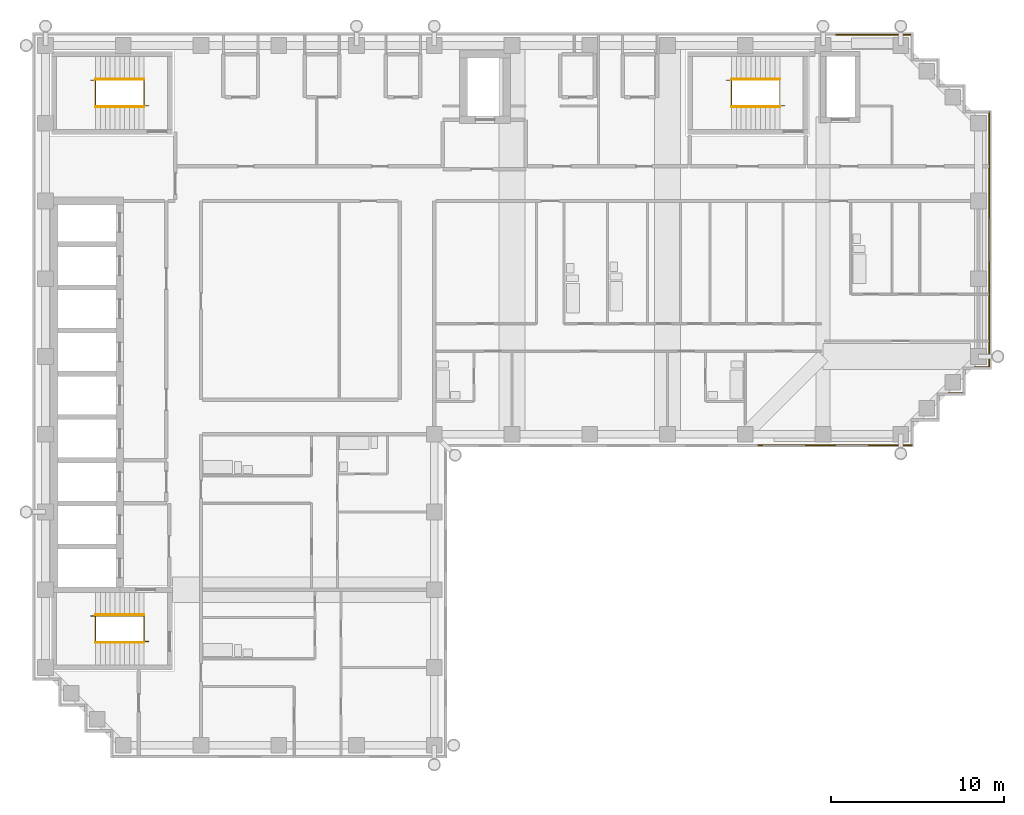
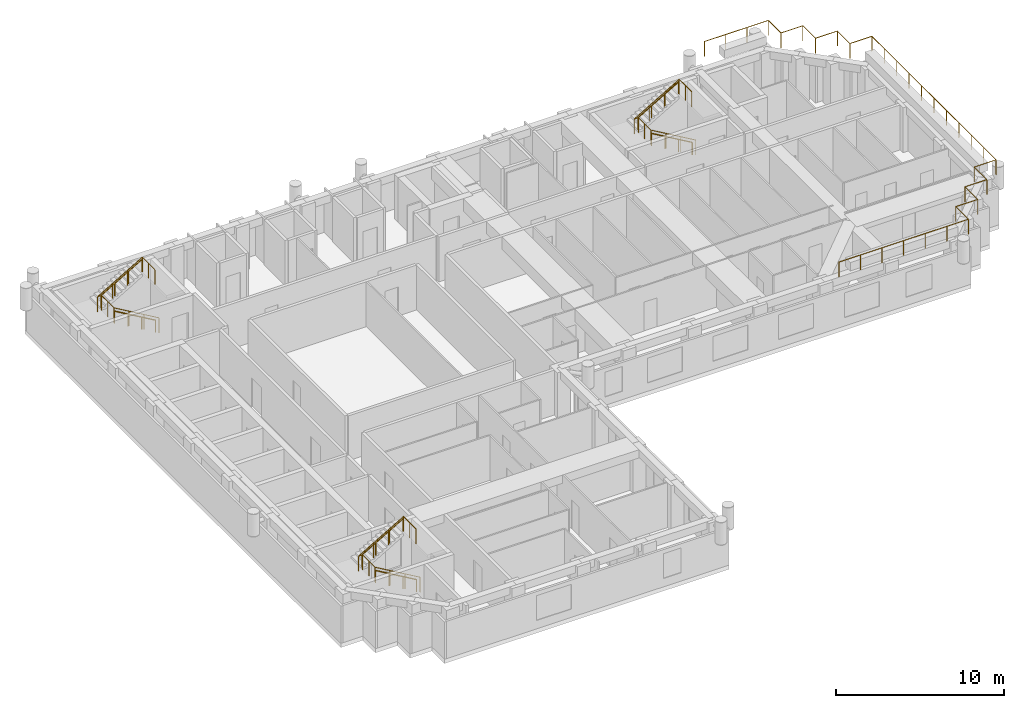
# One storey, part 8 of 9: 10 railings.
"""IFC4 building model written with IfcOpenShell, lengths in metres."""

from ifc_helpers import new_model, si_unit, direction, frame, origin, origin_2d, place, context, subcontext, project, spatial, circle, extrude, material, type_object, element, save


model = new_model("IFC4")

# Units and contexts
model_context = context("Model", 3, precision=1e-05, world=origin(), true_north=direction((0.0, 1.0)))
body_context = subcontext(model_context, "Body", "Model", "MODEL_VIEW")
ifc_project = project(units=[si_unit("LENGTHUNIT", "METRE"), si_unit("AREAUNIT", "SQUARE_METRE"), si_unit("VOLUMEUNIT", "CUBIC_METRE"), si_unit("PLANEANGLEUNIT", "RADIAN"), si_unit("MASSUNIT", "GRAM", prefix="KILO")], contexts=[model_context])

# Site, building, storey
site_placement = place(None, origin())
site = spatial("IfcSite", under=ifc_project, at=site_placement, CompositionType="ELEMENT")
building_placement = place(site_placement, origin())
building = spatial("IfcBuilding", under=site, at=building_placement, Name="Firuza Court", CompositionType="ELEMENT")
storey_placement = place(building_placement, frame((0.0, 0.0, 229.39990234375)))
storey = spatial("IfcBuildingStorey", under=building, at=storey_placement, Name="L59", CompositionType="ELEMENT", Elevation=229.39990234375)

# Railings
ifc_material_1 = material(Name="Steel S355", Category="steel")
railing_type_1 = type_object("IfcRailingType", Name="Handrail 900", PredefinedType="HANDRAIL", material=ifc_material_1)
railing_1_placement = place(storey_placement, frame((42.5, 54.949951171875, 0.163818359375)))
element("IfcRailing", 1, at=railing_1_placement, inside=storey, type_object=railing_type_1, Name="Handrail S1 flight 1", PredefinedType="HANDRAIL", context=body_context, shape_type="SweptSolid", body=[
    extrude(circle(Radius=0.02490234375, at=origin_2d()), frame((0.0, 0.0, 0.875), z_axis=(-0.863393664356, 0.0, 0.504530851732), x_axis=(0.0, -1.0, 0.0)), (0.0, 0.0, 1.0), 3.2431640625),
    extrude(circle(Radius=0.02001953125, at=origin_2d()), origin(), (0.0, 0.0, 1.0), 0.849853515625),
    extrude(circle(Radius=0.02001953125, at=origin_2d()), frame((-0.933349609375, 0.0, 0.54541015625)), (0.0, 0.0, 1.0), 0.849853515625),
    extrude(circle(Radius=0.02001953125, at=origin_2d()), frame((-1.86669921875, 0.0, 1.0908203125)), (0.0, 0.0, 1.0), 0.849853515625),
    extrude(circle(Radius=0.02001953125, at=origin_2d()), frame((-2.800048828125, 0.0, 1.63623046875)), (0.0, 0.0, 1.0), 0.849853515625),
])
railing_2_placement = place(storey_placement, frame((39.699951171875, 56.550048828125, 1.963623046875)))
element("IfcRailing", 2, at=railing_2_placement, inside=storey, type_object=railing_type_1, Name="Handrail S1 flight 2", PredefinedType="HANDRAIL", context=body_context, shape_type="SweptSolid", body=[
    extrude(circle(Radius=0.02490234375, at=origin_2d()), frame((0.0, 0.0, 0.875), z_axis=(0.863360870873, 0.0, 0.504586966384), x_axis=(0.0, 1.0, 0.0)), (0.0, 0.0, 1.0), 3.2431640625),
    extrude(circle(Radius=0.02001953125, at=origin_2d()), origin(), (0.0, 0.0, 1.0), 0.849853515625),
    extrude(circle(Radius=0.02001953125, at=origin_2d()), frame((0.933349609375, 0.0, 0.54541015625)), (0.0, 0.0, 1.0), 0.849853515625),
    extrude(circle(Radius=0.02001953125, at=origin_2d()), frame((1.86669921875, 0.0, 1.091064453125)), (0.0, 0.0, 1.0), 0.849853515625),
    extrude(circle(Radius=0.02001953125, at=origin_2d()), frame((2.800048828125, 0.0, 1.636474609375)), (0.0, 0.0, 1.0), 0.849853515625),
])
railing_3_placement = place(storey_placement, frame((5.699951171875, 23.949951171875, 0.163818359375)))
element("IfcRailing", 3, at=railing_3_placement, inside=storey, type_object=railing_type_1, Name="Handrail S2 flight 1", PredefinedType="HANDRAIL", context=body_context, shape_type="SweptSolid", body=[
    extrude(circle(Radius=0.02490234375, at=origin_2d()), frame((0.0, 0.0, 0.875), z_axis=(-0.863393664356, 0.0, 0.504530851732), x_axis=(0.0, -1.0, 0.0)), (0.0, 0.0, 1.0), 3.2431640625),
    extrude(circle(Radius=0.02001953125, at=origin_2d()), origin(), (0.0, 0.0, 1.0), 0.849853515625),
    extrude(circle(Radius=0.02001953125, at=origin_2d()), frame((-0.933349609375, 0.0, 0.54541015625)), (0.0, 0.0, 1.0), 0.849853515625),
    extrude(circle(Radius=0.02001953125, at=origin_2d()), frame((-1.86669921875, 0.0, 1.0908203125)), (0.0, 0.0, 1.0), 0.849853515625),
    extrude(circle(Radius=0.02001953125, at=origin_2d()), frame((-2.800048828125, 0.0, 1.63623046875)), (0.0, 0.0, 1.0), 0.849853515625),
])
railing_4_placement = place(storey_placement, frame((2.89990234375, 25.550048828125, 1.963623046875)))
element("IfcRailing", 4, at=railing_4_placement, inside=storey, type_object=railing_type_1, Name="Handrail S2 flight 2", PredefinedType="HANDRAIL", context=body_context, shape_type="SweptSolid", body=[
    extrude(circle(Radius=0.02490234375, at=origin_2d()), frame((0.0, 0.0, 0.875), z_axis=(0.863360870873, 0.0, 0.504586966384), x_axis=(0.0, 1.0, 0.0)), (0.0, 0.0, 1.0), 3.2431640625),
    extrude(circle(Radius=0.02001953125, at=origin_2d()), origin(), (0.0, 0.0, 1.0), 0.849853515625),
    extrude(circle(Radius=0.02001953125, at=origin_2d()), frame((0.933349609375, 0.0, 0.54541015625)), (0.0, 0.0, 1.0), 0.849853515625),
    extrude(circle(Radius=0.02001953125, at=origin_2d()), frame((1.86669921875, 0.0, 1.091064453125)), (0.0, 0.0, 1.0), 0.849853515625),
    extrude(circle(Radius=0.02001953125, at=origin_2d()), frame((2.800048828125, 0.0, 1.636474609375)), (0.0, 0.0, 1.0), 0.849853515625),
])
railing_5_placement = place(storey_placement, frame((5.699951171875, 54.949951171875, 0.163818359375)))
element("IfcRailing", 5, at=railing_5_placement, inside=storey, type_object=railing_type_1, Name="Handrail S3 flight 1", PredefinedType="HANDRAIL", context=body_context, shape_type="SweptSolid", body=[
    extrude(circle(Radius=0.02490234375, at=origin_2d()), frame((0.0, 0.0, 0.875), z_axis=(-0.863393664356, 0.0, 0.504530851732), x_axis=(0.0, -1.0, 0.0)), (0.0, 0.0, 1.0), 3.2431640625),
    extrude(circle(Radius=0.02001953125, at=origin_2d()), origin(), (0.0, 0.0, 1.0), 0.849853515625),
    extrude(circle(Radius=0.02001953125, at=origin_2d()), frame((-0.933349609375, 0.0, 0.54541015625)), (0.0, 0.0, 1.0), 0.849853515625),
    extrude(circle(Radius=0.02001953125, at=origin_2d()), frame((-1.86669921875, 0.0, 1.0908203125)), (0.0, 0.0, 1.0), 0.849853515625),
    extrude(circle(Radius=0.02001953125, at=origin_2d()), frame((-2.800048828125, 0.0, 1.63623046875)), (0.0, 0.0, 1.0), 0.849853515625),
])
railing_6_placement = place(storey_placement, frame((2.89990234375, 56.550048828125, 1.963623046875)))
element("IfcRailing", 6, at=railing_6_placement, inside=storey, type_object=railing_type_1, Name="Handrail S3 flight 2", PredefinedType="HANDRAIL", context=body_context, shape_type="SweptSolid", body=[
    extrude(circle(Radius=0.02490234375, at=origin_2d()), frame((0.0, 0.0, 0.875), z_axis=(0.863360870873, 0.0, 0.504586966384), x_axis=(0.0, 1.0, 0.0)), (0.0, 0.0, 1.0), 3.2431640625),
    extrude(circle(Radius=0.02001953125, at=origin_2d()), origin(), (0.0, 0.0, 1.0), 0.849853515625),
    extrude(circle(Radius=0.02001953125, at=origin_2d()), frame((0.933349609375, 0.0, 0.54541015625)), (0.0, 0.0, 1.0), 0.849853515625),
    extrude(circle(Radius=0.02001953125, at=origin_2d()), frame((1.86669921875, 0.0, 1.091064453125)), (0.0, 0.0, 1.0), 0.849853515625),
    extrude(circle(Radius=0.02001953125, at=origin_2d()), frame((2.800048828125, 0.0, 1.636474609375)), (0.0, 0.0, 1.0), 0.849853515625),
])
ifc_material_2 = material(Name="Steel S355", Category="steel")
railing_type_2 = type_object("IfcRailingType", Name="Stair guard 1100", PredefinedType="GUARDRAIL", material=ifc_material_2)
railing_7_placement = place(storey_placement, frame((42.780029296875, 55.010009765625, 0.0)))
element("IfcRailing", 7, at=railing_7_placement, inside=storey, type_object=railing_type_2, Name="Stair well guard S1", PredefinedType="GUARDRAIL", context=body_context, shape_type="SweptSolid", body=[
    extrude(circle(Radius=0.02490234375, at=origin_2d()), frame((0.0, 0.0, 1.0751953125), z_axis=(-0.863371556955, 0.0, 0.504568681787), x_axis=(0.0, -1.0, 0.0)), (0.0, 0.0, 1.0), 3.5673828125),
    extrude(circle(Radius=0.02490234375, at=origin_2d()), frame((-3.080078125, 0.0, 2.875), z_axis=(0.0, 1.0, 0.0), x_axis=(-1.0, 0.0, 0.0)), (0.0, 0.0, 1.0), 1.47998046875),
    extrude(circle(Radius=0.02490234375, at=origin_2d()), frame((-3.080078125, 1.47998046875, 2.875), z_axis=(-1.0, 0.0, 0.0), x_axis=(0.0, -1.0, 0.0)), (0.0, 0.0, 1.0), 0.280029296875),
    extrude(circle(Radius=0.02490234375, at=origin_2d()), frame((-3.360107421875, 1.47998046875, 2.875), z_axis=(0.863371556955, 0.0, 0.504568681787), x_axis=(0.0, 1.0, 0.0)), (0.0, 0.0, 1.0), 3.5673828125),
    extrude(circle(Radius=0.02490234375, at=origin_2d()), frame((-0.280029296875, 1.47998046875, 4.67529296875), z_axis=(0.0, -1.0, 0.0), x_axis=(1.0, 0.0, 0.0)), (0.0, 0.0, 1.0), 1.47998046875),
    extrude(circle(Radius=0.02490234375, at=origin_2d()), origin(), (0.0, 0.0, 1.0), 1.050048828125),
    extrude(circle(Radius=0.02490234375, at=origin_2d()), frame((-1.026611328125, 0.0, 0.60009765625)), (0.0, 0.0, 1.0), 1.050048828125),
    extrude(circle(Radius=0.02490234375, at=origin_2d()), frame((-2.053466796875, 0.0, 1.199951171875)), (0.0, 0.0, 1.0), 1.050048828125),
    extrude(circle(Radius=0.02490234375, at=origin_2d()), frame((-3.080078125, 0.0, 1.800048828125)), (0.0, 0.0, 1.0), 1.050048828125),
    extrude(circle(Radius=0.02490234375, at=origin_2d()), frame((-3.080078125, 0.739990234375, 1.800048828125)), (0.0, 0.0, 1.0), 1.050048828125),
    extrude(circle(Radius=0.02490234375, at=origin_2d()), frame((-3.080078125, 1.47998046875, 1.800048828125)), (0.0, 0.0, 1.0), 1.050048828125),
    extrude(circle(Radius=0.02490234375, at=origin_2d()), frame((-3.360107421875, 1.47998046875, 1.800048828125)), (0.0, 0.0, 1.0), 1.050048828125),
    extrude(circle(Radius=0.02490234375, at=origin_2d()), frame((-2.33349609375, 1.47998046875, 2.400146484375)), (0.0, 0.0, 1.0), 1.050048828125),
    extrude(circle(Radius=0.02490234375, at=origin_2d()), frame((-1.306640625, 1.47998046875, 3.0)), (0.0, 0.0, 1.0), 1.050048828125),
    extrude(circle(Radius=0.02490234375, at=origin_2d()), frame((-0.280029296875, 1.47998046875, 3.60009765625)), (0.0, 0.0, 1.0), 1.050048828125),
    extrude(circle(Radius=0.02490234375, at=origin_2d()), frame((-0.280029296875, 0.739990234375, 3.60009765625)), (0.0, 0.0, 1.0), 1.050048828125),
    extrude(circle(Radius=0.02490234375, at=origin_2d()), frame((-0.280029296875, 0.0, 3.60009765625)), (0.0, 0.0, 1.0), 1.050048828125),
])
railing_8_placement = place(storey_placement, frame((5.97998046875, 24.010009765625, 0.0)))
element("IfcRailing", 8, at=railing_8_placement, inside=storey, type_object=railing_type_2, Name="Stair well guard S2", PredefinedType="GUARDRAIL", context=body_context, shape_type="SweptSolid", body=[
    extrude(circle(Radius=0.02490234375, at=origin_2d()), frame((0.0, 0.0, 1.0751953125), z_axis=(-0.863371556955, 0.0, 0.504568681787), x_axis=(0.0, -1.0, 0.0)), (0.0, 0.0, 1.0), 3.5673828125),
    extrude(circle(Radius=0.02490234375, at=origin_2d()), frame((-3.080078125, 0.0, 2.875), z_axis=(0.0, 1.0, 0.0), x_axis=(-1.0, 0.0, 0.0)), (0.0, 0.0, 1.0), 1.47998046875),
    extrude(circle(Radius=0.02490234375, at=origin_2d()), frame((-3.080078125, 1.47998046875, 2.875), z_axis=(-1.0, 0.0, 0.0), x_axis=(0.0, -1.0, 0.0)), (0.0, 0.0, 1.0), 0.27978515625),
    extrude(circle(Radius=0.02490234375, at=origin_2d()), frame((-3.35986328125, 1.47998046875, 2.875), z_axis=(0.863354132664, 0.0, 0.504598495452), x_axis=(0.0, 1.0, 0.0)), (0.0, 0.0, 1.0), 3.5673828125),
    extrude(circle(Radius=0.02490234375, at=origin_2d()), frame((-0.280029296875, 1.47998046875, 4.67529296875), z_axis=(0.0, -1.0, 0.0), x_axis=(1.0, 0.0, 0.0)), (0.0, 0.0, 1.0), 1.47998046875),
    extrude(circle(Radius=0.02490234375, at=origin_2d()), origin(), (0.0, 0.0, 1.0), 1.050048828125),
    extrude(circle(Radius=0.02490234375, at=origin_2d()), frame((-1.026611328125, 0.0, 0.60009765625)), (0.0, 0.0, 1.0), 1.050048828125),
    extrude(circle(Radius=0.02490234375, at=origin_2d()), frame((-2.053466796875, 0.0, 1.199951171875)), (0.0, 0.0, 1.0), 1.050048828125),
    extrude(circle(Radius=0.02490234375, at=origin_2d()), frame((-3.080078125, 0.0, 1.800048828125)), (0.0, 0.0, 1.0), 1.050048828125),
    extrude(circle(Radius=0.02490234375, at=origin_2d()), frame((-3.080078125, 0.739990234375, 1.800048828125)), (0.0, 0.0, 1.0), 1.050048828125),
    extrude(circle(Radius=0.02490234375, at=origin_2d()), frame((-3.080078125, 1.47998046875, 1.800048828125)), (0.0, 0.0, 1.0), 1.050048828125),
    extrude(circle(Radius=0.02490234375, at=origin_2d()), frame((-3.35986328125, 1.47998046875, 1.800048828125)), (0.0, 0.0, 1.0), 1.050048828125),
    extrude(circle(Radius=0.02490234375, at=origin_2d()), frame((-2.333251953125, 1.47998046875, 2.400146484375)), (0.0, 0.0, 1.0), 1.050048828125),
    extrude(circle(Radius=0.02490234375, at=origin_2d()), frame((-1.306640625, 1.47998046875, 3.0)), (0.0, 0.0, 1.0), 1.050048828125),
    extrude(circle(Radius=0.02490234375, at=origin_2d()), frame((-0.280029296875, 1.47998046875, 3.60009765625)), (0.0, 0.0, 1.0), 1.050048828125),
    extrude(circle(Radius=0.02490234375, at=origin_2d()), frame((-0.280029296875, 0.739990234375, 3.60009765625)), (0.0, 0.0, 1.0), 1.050048828125),
    extrude(circle(Radius=0.02490234375, at=origin_2d()), frame((-0.280029296875, 0.0, 3.60009765625)), (0.0, 0.0, 1.0), 1.050048828125),
])
railing_9_placement = place(storey_placement, frame((5.97998046875, 55.010009765625, 0.0)))
element("IfcRailing", 9, at=railing_9_placement, inside=storey, type_object=railing_type_2, Name="Stair well guard S3", PredefinedType="GUARDRAIL", context=body_context, shape_type="SweptSolid", body=[
    extrude(circle(Radius=0.02490234375, at=origin_2d()), frame((0.0, 0.0, 1.0751953125), z_axis=(-0.863371556955, 0.0, 0.504568681787), x_axis=(0.0, -1.0, 0.0)), (0.0, 0.0, 1.0), 3.5673828125),
    extrude(circle(Radius=0.02490234375, at=origin_2d()), frame((-3.080078125, 0.0, 2.875), z_axis=(0.0, 1.0, 0.0), x_axis=(-1.0, 0.0, 0.0)), (0.0, 0.0, 1.0), 1.47998046875),
    extrude(circle(Radius=0.02490234375, at=origin_2d()), frame((-3.080078125, 1.47998046875, 2.875), z_axis=(-1.0, 0.0, 0.0), x_axis=(0.0, -1.0, 0.0)), (0.0, 0.0, 1.0), 0.27978515625),
    extrude(circle(Radius=0.02490234375, at=origin_2d()), frame((-3.35986328125, 1.47998046875, 2.875), z_axis=(0.863354132664, 0.0, 0.504598495452), x_axis=(0.0, 1.0, 0.0)), (0.0, 0.0, 1.0), 3.5673828125),
    extrude(circle(Radius=0.02490234375, at=origin_2d()), frame((-0.280029296875, 1.47998046875, 4.67529296875), z_axis=(0.0, -1.0, 0.0), x_axis=(1.0, 0.0, 0.0)), (0.0, 0.0, 1.0), 1.47998046875),
    extrude(circle(Radius=0.02490234375, at=origin_2d()), origin(), (0.0, 0.0, 1.0), 1.050048828125),
    extrude(circle(Radius=0.02490234375, at=origin_2d()), frame((-1.026611328125, 0.0, 0.60009765625)), (0.0, 0.0, 1.0), 1.050048828125),
    extrude(circle(Radius=0.02490234375, at=origin_2d()), frame((-2.053466796875, 0.0, 1.199951171875)), (0.0, 0.0, 1.0), 1.050048828125),
    extrude(circle(Radius=0.02490234375, at=origin_2d()), frame((-3.080078125, 0.0, 1.800048828125)), (0.0, 0.0, 1.0), 1.050048828125),
    extrude(circle(Radius=0.02490234375, at=origin_2d()), frame((-3.080078125, 0.739990234375, 1.800048828125)), (0.0, 0.0, 1.0), 1.050048828125),
    extrude(circle(Radius=0.02490234375, at=origin_2d()), frame((-3.080078125, 1.47998046875, 1.800048828125)), (0.0, 0.0, 1.0), 1.050048828125),
    extrude(circle(Radius=0.02490234375, at=origin_2d()), frame((-3.35986328125, 1.47998046875, 1.800048828125)), (0.0, 0.0, 1.0), 1.050048828125),
    extrude(circle(Radius=0.02490234375, at=origin_2d()), frame((-2.333251953125, 1.47998046875, 2.400146484375)), (0.0, 0.0, 1.0), 1.050048828125),
    extrude(circle(Radius=0.02490234375, at=origin_2d()), frame((-1.306640625, 1.47998046875, 3.0)), (0.0, 0.0, 1.0), 1.050048828125),
    extrude(circle(Radius=0.02490234375, at=origin_2d()), frame((-0.280029296875, 1.47998046875, 3.60009765625)), (0.0, 0.0, 1.0), 1.050048828125),
    extrude(circle(Radius=0.02490234375, at=origin_2d()), frame((-0.280029296875, 0.739990234375, 3.60009765625)), (0.0, 0.0, 1.0), 1.050048828125),
    extrude(circle(Radius=0.02490234375, at=origin_2d()), frame((-0.280029296875, 0.0, 3.60009765625)), (0.0, 0.0, 1.0), 1.050048828125),
])
ifc_material_3 = material(Name="Stainless steel 1.4301", Category="steel")
railing_type_3 = type_object("IfcRailingType", Name="Terrace guard 1100", PredefinedType="GUARDRAIL", material=ifc_material_3)
railing_10_placement = place(storey_placement, frame((45.75, 59.1298828125, 3.60009765625)))
element("IfcRailing", 10, at=railing_10_placement, inside=storey, type_object=railing_type_3, Name="GUARD L59 terrace", PredefinedType="GUARDRAIL", context=body_context, shape_type="SweptSolid", body=[
    extrude(circle(Radius=0.02490234375, at=origin_2d()), frame((0.0, 0.0, 1.0751953125), z_axis=(1.0, 0.0, 0.0), x_axis=(0.0, 1.0, 0.0)), (0.0, 0.0, 1.0), 4.3798828125),
    extrude(circle(Radius=0.02490234375, at=origin_2d()), frame((4.3798828125, 0.0, 1.0751953125), z_axis=(0.0, -1.0, 0.0), x_axis=(1.0, 0.0, 0.0)), (0.0, 0.0, 1.0), 1.5),
    extrude(circle(Radius=0.02490234375, at=origin_2d()), frame((4.3798828125, -1.5, 1.0751953125), z_axis=(1.0, 0.0, 0.0), x_axis=(0.0, 1.0, 0.0)), (0.0, 0.0, 1.0), 1.5),
    extrude(circle(Radius=0.02490234375, at=origin_2d()), frame((5.8798828125, -1.5, 1.0751953125), z_axis=(0.0, -1.0, 0.0), x_axis=(1.0, 0.0, 0.0)), (0.0, 0.0, 1.0), 1.5),
    extrude(circle(Radius=0.02490234375, at=origin_2d()), frame((5.8798828125, -3.0, 1.0751953125), z_axis=(1.0, 0.0, 0.0), x_axis=(0.0, 1.0, 0.0)), (0.0, 0.0, 1.0), 1.5),
    extrude(circle(Radius=0.02490234375, at=origin_2d()), frame((7.3798828125, -3.0, 1.0751953125), z_axis=(0.0, -1.0, 0.0), x_axis=(1.0, 0.0, 0.0)), (0.0, 0.0, 1.0), 1.5),
    extrude(circle(Radius=0.02490234375, at=origin_2d()), frame((7.3798828125, -4.5, 1.0751953125), z_axis=(1.0, 0.0, 0.0), x_axis=(0.0, 1.0, 0.0)), (0.0, 0.0, 1.0), 1.5),
    extrude(circle(Radius=0.02490234375, at=origin_2d()), frame((8.8798828125, -4.5, 1.0751953125), z_axis=(0.0, -1.0, 0.0), x_axis=(1.0, 0.0, 0.0)), (0.0, 0.0, 1.0), 14.759765625),
    extrude(circle(Radius=0.02490234375, at=origin_2d()), frame((8.8798828125, -19.259765625, 1.0751953125), z_axis=(-1.0, 0.0, 0.0), x_axis=(0.0, -1.0, 0.0)), (0.0, 0.0, 1.0), 1.5),
    extrude(circle(Radius=0.02490234375, at=origin_2d()), frame((7.3798828125, -19.259765625, 1.0751953125), z_axis=(0.0, -1.0, 0.0), x_axis=(1.0, 0.0, 0.0)), (0.0, 0.0, 1.0), 1.5),
    extrude(circle(Radius=0.02490234375, at=origin_2d()), frame((7.3798828125, -20.759765625, 1.0751953125), z_axis=(-1.0, 0.0, 0.0), x_axis=(0.0, -1.0, 0.0)), (0.0, 0.0, 1.0), 1.5),
    extrude(circle(Radius=0.02490234375, at=origin_2d()), frame((5.8798828125, -20.759765625, 1.0751953125), z_axis=(0.0, -1.0, 0.0), x_axis=(1.0, 0.0, 0.0)), (0.0, 0.0, 1.0), 1.5),
    extrude(circle(Radius=0.02490234375, at=origin_2d()), frame((5.8798828125, -22.259765625, 1.0751953125), z_axis=(-1.0, 0.0, 0.0), x_axis=(0.0, -1.0, 0.0)), (0.0, 0.0, 1.0), 1.5),
    extrude(circle(Radius=0.02490234375, at=origin_2d()), frame((4.3798828125, -22.259765625, 1.0751953125), z_axis=(0.0, -1.0, 0.0), x_axis=(1.0, 0.0, 0.0)), (0.0, 0.0, 1.0), 1.5),
    extrude(circle(Radius=0.02490234375, at=origin_2d()), frame((4.3798828125, -23.759765625, 1.0751953125), z_axis=(-1.0, 0.0, 0.0), x_axis=(0.0, -1.0, 0.0)), (0.0, 0.0, 1.0), 8.8798828125),
    extrude(circle(Radius=0.02490234375, at=origin_2d()), origin(), (0.0, 0.0, 1.0), 1.050048828125),
    extrude(circle(Radius=0.02490234375, at=origin_2d()), frame((1.4599609375, 0.0, 0.0)), (0.0, 0.0, 1.0), 1.050048828125),
    extrude(circle(Radius=0.02490234375, at=origin_2d()), frame((2.919921875, 0.0, 0.0)), (0.0, 0.0, 1.0), 1.050048828125),
    extrude(circle(Radius=0.02490234375, at=origin_2d()), frame((4.3798828125, 0.0, 0.0)), (0.0, 0.0, 1.0), 1.050048828125),
    extrude(circle(Radius=0.02490234375, at=origin_2d()), frame((4.3798828125, -1.5, 0.0)), (0.0, 0.0, 1.0), 1.050048828125),
    extrude(circle(Radius=0.02490234375, at=origin_2d()), frame((5.8798828125, -1.5, 0.0)), (0.0, 0.0, 1.0), 1.050048828125),
    extrude(circle(Radius=0.02490234375, at=origin_2d()), frame((5.8798828125, -3.0, 0.0)), (0.0, 0.0, 1.0), 1.050048828125),
    extrude(circle(Radius=0.02490234375, at=origin_2d()), frame((7.3798828125, -3.0, 0.0)), (0.0, 0.0, 1.0), 1.050048828125),
    extrude(circle(Radius=0.02490234375, at=origin_2d()), frame((7.3798828125, -4.5, 0.0)), (0.0, 0.0, 1.0), 1.050048828125),
    extrude(circle(Radius=0.02490234375, at=origin_2d()), frame((8.8798828125, -4.5, 0.0)), (0.0, 0.0, 1.0), 1.050048828125),
    extrude(circle(Radius=0.02490234375, at=origin_2d()), frame((8.8798828125, -5.97607421875, 0.0)), (0.0, 0.0, 1.0), 1.050048828125),
    extrude(circle(Radius=0.02490234375, at=origin_2d()), frame((8.8798828125, -7.451904296875, 0.0)), (0.0, 0.0, 1.0), 1.050048828125),
    extrude(circle(Radius=0.02490234375, at=origin_2d()), frame((8.8798828125, -8.927978515625, 0.0)), (0.0, 0.0, 1.0), 1.050048828125),
    extrude(circle(Radius=0.02490234375, at=origin_2d()), frame((8.8798828125, -10.40380859375, 0.0)), (0.0, 0.0, 1.0), 1.050048828125),
    extrude(circle(Radius=0.02490234375, at=origin_2d()), frame((8.8798828125, -11.8798828125, 0.0)), (0.0, 0.0, 1.0), 1.050048828125),
    extrude(circle(Radius=0.02490234375, at=origin_2d()), frame((8.8798828125, -13.35595703125, 0.0)), (0.0, 0.0, 1.0), 1.050048828125),
    extrude(circle(Radius=0.02490234375, at=origin_2d()), frame((8.8798828125, -14.831787109375, 0.0)), (0.0, 0.0, 1.0), 1.050048828125),
    extrude(circle(Radius=0.02490234375, at=origin_2d()), frame((8.8798828125, -16.307861328125, 0.0)), (0.0, 0.0, 1.0), 1.050048828125),
    extrude(circle(Radius=0.02490234375, at=origin_2d()), frame((8.8798828125, -17.78369140625, 0.0)), (0.0, 0.0, 1.0), 1.050048828125),
    extrude(circle(Radius=0.02490234375, at=origin_2d()), frame((8.8798828125, -19.259765625, 0.0)), (0.0, 0.0, 1.0), 1.050048828125),
    extrude(circle(Radius=0.02490234375, at=origin_2d()), frame((7.3798828125, -19.259765625, 0.0)), (0.0, 0.0, 1.0), 1.050048828125),
    extrude(circle(Radius=0.02490234375, at=origin_2d()), frame((7.3798828125, -20.759765625, 0.0)), (0.0, 0.0, 1.0), 1.050048828125),
    extrude(circle(Radius=0.02490234375, at=origin_2d()), frame((5.8798828125, -20.759765625, 0.0)), (0.0, 0.0, 1.0), 1.050048828125),
    extrude(circle(Radius=0.02490234375, at=origin_2d()), frame((5.8798828125, -22.259765625, 0.0)), (0.0, 0.0, 1.0), 1.050048828125),
    extrude(circle(Radius=0.02490234375, at=origin_2d()), frame((4.3798828125, -22.259765625, 0.0)), (0.0, 0.0, 1.0), 1.050048828125),
    extrude(circle(Radius=0.02490234375, at=origin_2d()), frame((4.3798828125, -23.759765625, 0.0)), (0.0, 0.0, 1.0), 1.050048828125),
    extrude(circle(Radius=0.02490234375, at=origin_2d()), frame((2.89990234375, -23.759765625, 0.0)), (0.0, 0.0, 1.0), 1.050048828125),
    extrude(circle(Radius=0.02490234375, at=origin_2d()), frame((1.419921875, -23.759765625, 0.0)), (0.0, 0.0, 1.0), 1.050048828125),
    extrude(circle(Radius=0.02490234375, at=origin_2d()), frame((-0.06005859375, -23.759765625, 0.0)), (0.0, 0.0, 1.0), 1.050048828125),
    extrude(circle(Radius=0.02490234375, at=origin_2d()), frame((-1.5400390625, -23.759765625, 0.0)), (0.0, 0.0, 1.0), 1.050048828125),
    extrude(circle(Radius=0.02490234375, at=origin_2d()), frame((-3.02001953125, -23.759765625, 0.0)), (0.0, 0.0, 1.0), 1.050048828125),
    extrude(circle(Radius=0.02490234375, at=origin_2d()), frame((-4.5, -23.759765625, 0.0)), (0.0, 0.0, 1.0), 1.050048828125),
])

save(model, "model.ifc")
